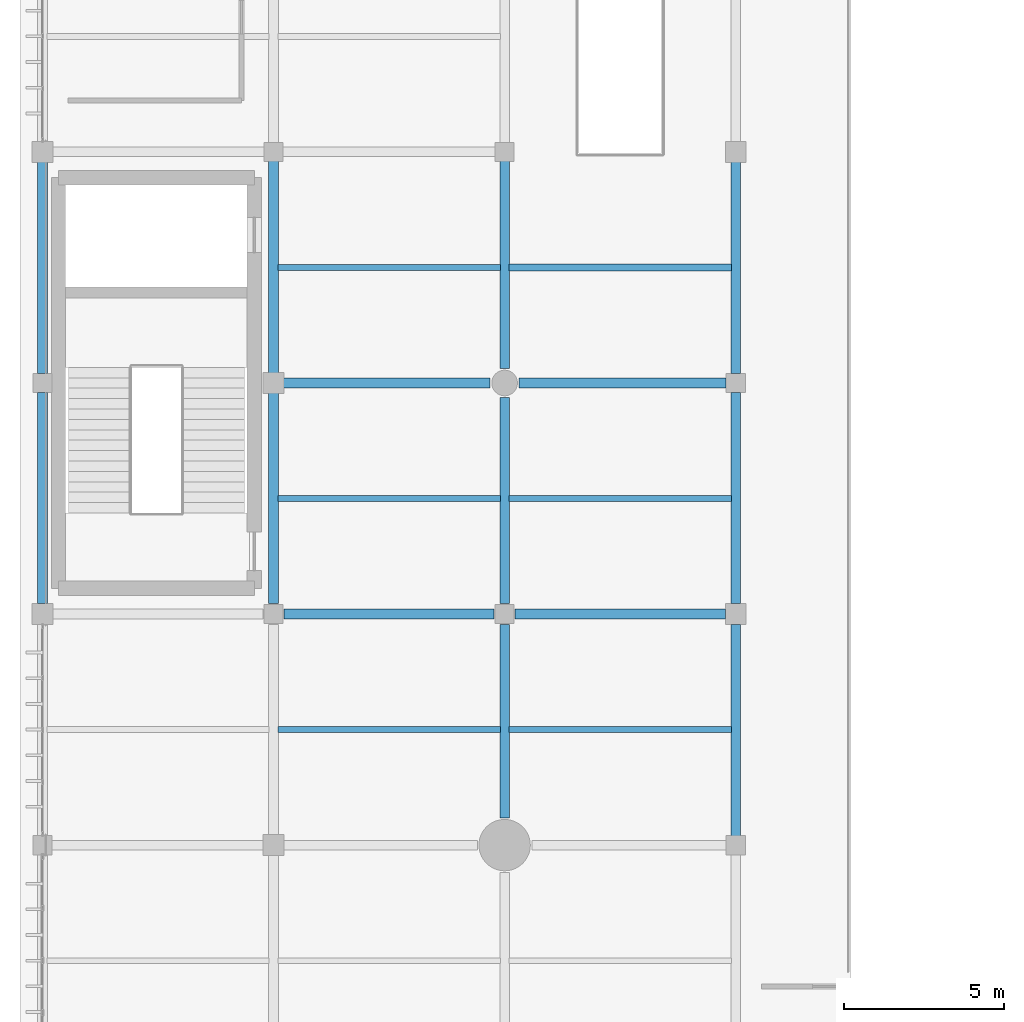
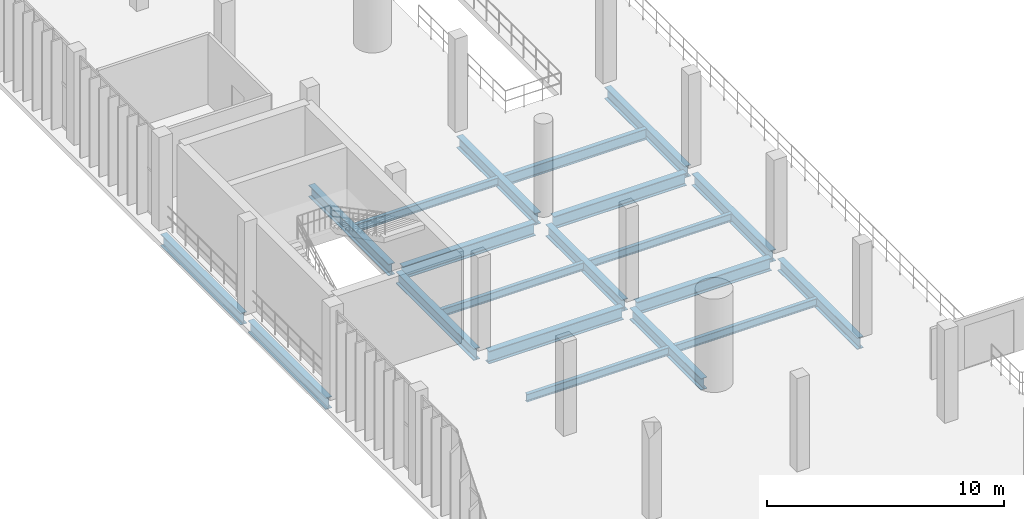
# One storey, part 14 of 105: 20 beams.
"""IFC4 building model written with IfcOpenShell, lengths in metres."""

from ifc_helpers import new_model, si_unit, direction, frame, origin, origin_2d, place, context, subcontext, project, spatial, i_section, extrude, material, material_profile, profile_set, type_object, element, save


model = new_model("IFC4")

# Units and contexts
model_context = context("Model", 3, precision=1e-05, world=origin(), true_north=direction((0.0, 1.0)))
body_context = subcontext(model_context, "Body", "Model", "MODEL_VIEW")
ifc_project = project(units=[si_unit("LENGTHUNIT", "METRE"), si_unit("AREAUNIT", "SQUARE_METRE"), si_unit("VOLUMEUNIT", "CUBIC_METRE"), si_unit("PLANEANGLEUNIT", "RADIAN"), si_unit("MASSUNIT", "GRAM", prefix="KILO")], contexts=[model_context])

# Site, building, storey
site_placement = place(None, origin())
site = spatial("IfcSite", under=ifc_project, at=site_placement, CompositionType="ELEMENT")
building_placement = place(site_placement, origin())
building = spatial("IfcBuilding", under=site, at=building_placement, Name="Qandorah Velis Arena", CompositionType="ELEMENT")
storey_placement = place(building_placement, frame((0.0, 0.0, 13.800048828125)))
storey = spatial("IfcBuildingStorey", under=building, at=storey_placement, Name="L03", CompositionType="ELEMENT", Elevation=13.800048828125)

# Beams
ifc_material = material(Name="Steel S355", Category="steel")
ifc_material_profile_1 = material_profile(ifc_material, i_section(OverallWidth=0.300048828125, OverallDepth=0.60009765625, WebThickness=0.015380859375, FlangeThickness=0.030029296875, FilletRadius=0.027099609375, at=origin_2d()), Name="HEB 600")
ifc_profile_set_1 = profile_set([ifc_material_profile_1], Name="Steel S355")
beam_type_1 = type_object("IfcBeamType", Name="STR-BM-HEB600", PredefinedType="BEAM", material=ifc_profile_set_1)
beam_1_placement = place(storey_placement, frame((0.0, 36.324951171875, -0.6201171875), z_axis=(0.0, 1.0, 0.0), x_axis=(-1.0, 0.0, 0.0)))
element("IfcBeam", 1, at=beam_1_placement, inside=storey, type_object=beam_type_1, Name="Primary floor girder L03 Y-181", PredefinedType="BEAM", context=body_context, shape_type="SweptSolid", body=[
    extrude(i_section(OverallWidth=0.300048828125, OverallDepth=0.60009765625, WebThickness=0.015380859375, FlangeThickness=0.030029296875, FilletRadius=0.027099609375, at=origin_2d()), origin(), (0.0, 0.0, 1.0), 6.574951171875),
])
beam_2_placement = place(storey_placement, frame((0.0, 43.5, -0.6201171875), z_axis=(0.0, 1.0, 0.0), x_axis=(-1.0, 0.0, 0.0)))
element("IfcBeam", 2, at=beam_2_placement, inside=storey, type_object=beam_type_1, Name="Primary floor girder L03 Y-182", PredefinedType="BEAM", context=body_context, shape_type="SweptSolid", body=[
    extrude(i_section(OverallWidth=0.300048828125, OverallDepth=0.60009765625, WebThickness=0.015380859375, FlangeThickness=0.030029296875, FilletRadius=0.027099609375, at=origin_2d()), origin(), (0.0, 0.0, 1.0), 6.75),
])
beam_3_placement = place(storey_placement, frame((7.199951171875, 36.324951171875, -0.6201171875), z_axis=(0.0, 1.0, 0.0), x_axis=(-1.0, 0.0, 0.0)))
element("IfcBeam", 3, at=beam_3_placement, inside=storey, type_object=beam_type_1, Name="Primary floor girder L03 Y-195", PredefinedType="BEAM", context=body_context, shape_type="SweptSolid", body=[
    extrude(i_section(OverallWidth=0.300048828125, OverallDepth=0.60009765625, WebThickness=0.015380859375, FlangeThickness=0.030029296875, FilletRadius=0.027099609375, at=origin_2d()), origin(), (0.0, 0.0, 1.0), 6.574951171875),
])
beam_4_placement = place(storey_placement, frame((7.199951171875, 43.5, -0.6201171875), z_axis=(0.0, 1.0, 0.0), x_axis=(-1.0, 0.0, 0.0)))
element("IfcBeam", 4, at=beam_4_placement, inside=storey, type_object=beam_type_1, Name="Primary floor girder L03 Y-196", PredefinedType="BEAM", context=body_context, shape_type="SweptSolid", body=[
    extrude(i_section(OverallWidth=0.300048828125, OverallDepth=0.60009765625, WebThickness=0.015380859375, FlangeThickness=0.030029296875, FilletRadius=0.027099609375, at=origin_2d()), origin(), (0.0, 0.0, 1.0), 6.75),
])
beam_5_placement = place(storey_placement, frame((14.39990234375, 29.64990234375, -0.6201171875), z_axis=(0.0, 1.0, 0.0), x_axis=(-1.0, 0.0, 0.0)))
element("IfcBeam", 5, at=beam_5_placement, inside=storey, type_object=beam_type_1, Name="Primary floor girder L03 Y-208", PredefinedType="BEAM", context=body_context, shape_type="SweptSolid", body=[
    extrude(i_section(OverallWidth=0.300048828125, OverallDepth=0.60009765625, WebThickness=0.015380859375, FlangeThickness=0.030029296875, FilletRadius=0.027099609375, at=origin_2d()), origin(), (0.0, 0.0, 1.0), 6.025146484375),
])
beam_6_placement = place(storey_placement, frame((14.39990234375, 36.324951171875, -0.6201171875), z_axis=(0.0, 1.0, 0.0), x_axis=(-1.0, 0.0, 0.0)))
element("IfcBeam", 6, at=beam_6_placement, inside=storey, type_object=beam_type_1, Name="Primary floor girder L03 Y-209", PredefinedType="BEAM", context=body_context, shape_type="SweptSolid", body=[
    extrude(i_section(OverallWidth=0.300048828125, OverallDepth=0.60009765625, WebThickness=0.015380859375, FlangeThickness=0.030029296875, FilletRadius=0.027099609375, at=origin_2d()), origin(), (0.0, 0.0, 1.0), 6.425048828125),
])
beam_7_placement = place(storey_placement, frame((14.39990234375, 43.64990234375, -0.6201171875), z_axis=(0.0, 1.0, 0.0), x_axis=(-1.0, 0.0, 0.0)))
element("IfcBeam", 7, at=beam_7_placement, inside=storey, type_object=beam_type_1, Name="Primary floor girder L03 Y-210", PredefinedType="BEAM", context=body_context, shape_type="SweptSolid", body=[
    extrude(i_section(OverallWidth=0.300048828125, OverallDepth=0.60009765625, WebThickness=0.015380859375, FlangeThickness=0.030029296875, FilletRadius=0.027099609375, at=origin_2d()), origin(), (0.0, 0.0, 1.0), 6.60009765625),
])
beam_8_placement = place(storey_placement, frame((21.60009765625, 28.949951171875, -0.6201171875), z_axis=(0.0, 1.0, 0.0), x_axis=(-1.0, 0.0, 0.0)))
element("IfcBeam", 8, at=beam_8_placement, inside=storey, type_object=beam_type_1, Name="Primary floor girder L03 Y-222", PredefinedType="BEAM", context=body_context, shape_type="SweptSolid", body=[
    extrude(i_section(OverallWidth=0.300048828125, OverallDepth=0.60009765625, WebThickness=0.015380859375, FlangeThickness=0.030029296875, FilletRadius=0.027099609375, at=origin_2d()), origin(), (0.0, 0.0, 1.0), 6.72509765625),
])
beam_9_placement = place(storey_placement, frame((21.60009765625, 36.324951171875, -0.6201171875), z_axis=(0.0, 1.0, 0.0), x_axis=(-1.0, 0.0, 0.0)))
element("IfcBeam", 9, at=beam_9_placement, inside=storey, type_object=beam_type_1, Name="Primary floor girder L03 Y-223", PredefinedType="BEAM", context=body_context, shape_type="SweptSolid", body=[
    extrude(i_section(OverallWidth=0.300048828125, OverallDepth=0.60009765625, WebThickness=0.015380859375, FlangeThickness=0.030029296875, FilletRadius=0.027099609375, at=origin_2d()), origin(), (0.0, 0.0, 1.0), 6.574951171875),
])
beam_10_placement = place(storey_placement, frame((21.60009765625, 43.5, -0.6201171875), z_axis=(0.0, 1.0, 0.0), x_axis=(-1.0, 0.0, 0.0)))
element("IfcBeam", 10, at=beam_10_placement, inside=storey, type_object=beam_type_1, Name="Primary floor girder L03 Y-224", PredefinedType="BEAM", context=body_context, shape_type="SweptSolid", body=[
    extrude(i_section(OverallWidth=0.300048828125, OverallDepth=0.60009765625, WebThickness=0.015380859375, FlangeThickness=0.030029296875, FilletRadius=0.027099609375, at=origin_2d()), origin(), (0.0, 0.0, 1.0), 6.75),
])
ifc_material_profile_2 = material_profile(ifc_material, i_section(OverallWidth=0.300048828125, OverallDepth=0.64990234375, WebThickness=0.01611328125, FlangeThickness=0.031005859375, FilletRadius=0.027099609375, at=origin_2d()), Name="HEB 650")
ifc_profile_set_2 = profile_set([ifc_material_profile_2], Name="Steel S355")
beam_type_2 = type_object("IfcBeamType", Name="STR-BM-HEB650", PredefinedType="BEAM", material=ifc_profile_set_2)
beam_11_placement = place(storey_placement, frame((7.52490234375, 36.0, -0.64501953125), z_axis=(1.0, 0.0, 0.0), x_axis=(0.0, 1.0, 0.0)))
element("IfcBeam", 11, at=beam_11_placement, inside=storey, type_object=beam_type_2, Name="Primary floor girder L03 X-063", PredefinedType="BEAM", context=body_context, shape_type="SweptSolid", body=[
    extrude(i_section(OverallWidth=0.300048828125, OverallDepth=0.64990234375, WebThickness=0.01611328125, FlangeThickness=0.031005859375, FilletRadius=0.027099609375, at=origin_2d()), origin(), (0.0, 0.0, 1.0), 6.550048828125),
])
beam_12_placement = place(storey_placement, frame((14.72509765625, 36.0, -0.64501953125), z_axis=(1.0, 0.0, 0.0), x_axis=(0.0, 1.0, 0.0)))
element("IfcBeam", 12, at=beam_12_placement, inside=storey, type_object=beam_type_2, Name="Primary floor girder L03 X-064", PredefinedType="BEAM", context=body_context, shape_type="SweptSolid", body=[
    extrude(i_section(OverallWidth=0.300048828125, OverallDepth=0.64990234375, WebThickness=0.01611328125, FlangeThickness=0.031005859375, FilletRadius=0.027099609375, at=origin_2d()), origin(), (0.0, 0.0, 1.0), 6.5498046875),
])
for number, where, z_axis, x_axis, name in (
    (13, (7.5, 43.199951171875, -0.64501953125), (1.0, 0.0, 0.0), (0.0, 1.0, 0.0), "Primary floor girder L03 X-067"),
    (14, (14.85009765625, 43.199951171875, -0.64501953125), (1.0, 0.0, 0.0), (0.0, 1.0, 0.0), "Primary floor girder L03 X-068"),
):
    element("IfcBeam", number, at=place(storey_placement, frame(where, z_axis=z_axis, x_axis=x_axis)), inside=storey, type_object=beam_type_2, Name=name, PredefinedType="BEAM", context=body_context, shape_type="SweptSolid", body=[
        extrude(i_section(OverallWidth=0.300048828125, OverallDepth=0.64990234375, WebThickness=0.01611328125, FlangeThickness=0.031005859375, FilletRadius=0.027099609375, at=origin_2d()), origin(), (0.0, 0.0, 1.0), 6.449951171875),
    ])
ifc_material_profile_3 = material_profile(ifc_material, i_section(OverallWidth=0.179931640625, OverallDepth=0.39990234375, WebThickness=0.008544921875, FlangeThickness=0.013427734375, FilletRadius=0.02099609375, at=origin_2d()), Name="IPE 400")
ifc_profile_set_3 = profile_set([ifc_material_profile_3], Name="Steel S355")
beam_type_3 = type_object("IfcBeamType", Name="STR-JST-IPE400", PredefinedType="JOIST", material=ifc_profile_set_3)
for number, where, z_axis, x_axis, name in (
    (15, (7.3349609375, 32.39990234375, -0.52001953125), (1.0, 0.0, 0.0), (0.0, 1.0, 0.0), "Secondary floor joist L03-013"),
    (16, (7.3349609375, 39.60009765625, -0.52001953125), (1.0, 0.0, 0.0), (0.0, 1.0, 0.0), "Secondary floor joist L03-014"),
    (17, (7.3349609375, 46.800048828125, -0.52001953125), (1.0, 0.0, 0.0), (0.0, 1.0, 0.0), "Secondary floor joist L03-015"),
):
    element("IfcBeam", number, at=place(storey_placement, frame(where, z_axis=z_axis, x_axis=x_axis)), inside=storey, type_object=beam_type_3, Name=name, PredefinedType="JOIST", context=body_context, shape_type="SweptSolid", body=[
        extrude(i_section(OverallWidth=0.179931640625, OverallDepth=0.39990234375, WebThickness=0.008544921875, FlangeThickness=0.013427734375, FilletRadius=0.02099609375, at=origin_2d()), origin(), (0.0, 0.0, 1.0), 6.929931640625),
    ])
for number, where, z_axis, x_axis, name in (
    (18, (14.534912109375, 32.39990234375, -0.52001953125), (1.0, 0.0, 0.0), (0.0, 1.0, 0.0), "Secondary floor joist L03-027"),
    (19, (14.534912109375, 39.60009765625, -0.52001953125), (1.0, 0.0, 0.0), (0.0, 1.0, 0.0), "Secondary floor joist L03-028"),
):
    element("IfcBeam", number, at=place(storey_placement, frame(where, z_axis=z_axis, x_axis=x_axis)), inside=storey, type_object=beam_type_3, Name=name, PredefinedType="JOIST", context=body_context, shape_type="SweptSolid", body=[
        extrude(i_section(OverallWidth=0.179931640625, OverallDepth=0.39990234375, WebThickness=0.008544921875, FlangeThickness=0.013427734375, FilletRadius=0.02099609375, at=origin_2d()), origin(), (0.0, 0.0, 1.0), 6.93017578125),
    ])
ifc_material_profile_4 = material_profile(ifc_material, i_section(OverallWidth=0.2099609375, OverallDepth=0.550048828125, WebThickness=0.010986328125, FlangeThickness=0.01708984375, FilletRadius=0.02392578125, at=origin_2d()), Name="IPE 550")
ifc_profile_set_4 = profile_set([ifc_material_profile_4], Name="Steel S355")
beam_type_4 = type_object("IfcBeamType", Name="STR-JST-IPE550", PredefinedType="JOIST", material=ifc_profile_set_4)
beam_13_placement = place(storey_placement, frame((14.534912109375, 46.800048828125, -0.594970703125), z_axis=(1.0, 0.0, 0.0), x_axis=(0.0, 1.0, 0.0)))
element("IfcBeam", 20, at=beam_13_placement, inside=storey, type_object=beam_type_4, Name="Secondary floor joist L03-029", PredefinedType="JOIST", context=body_context, shape_type="SweptSolid", body=[
    extrude(i_section(OverallWidth=0.2099609375, OverallDepth=0.550048828125, WebThickness=0.010986328125, FlangeThickness=0.01708984375, FilletRadius=0.02392578125, at=origin_2d()), origin(), (0.0, 0.0, 1.0), 6.93017578125),
])

save(model, "model.ifc")
